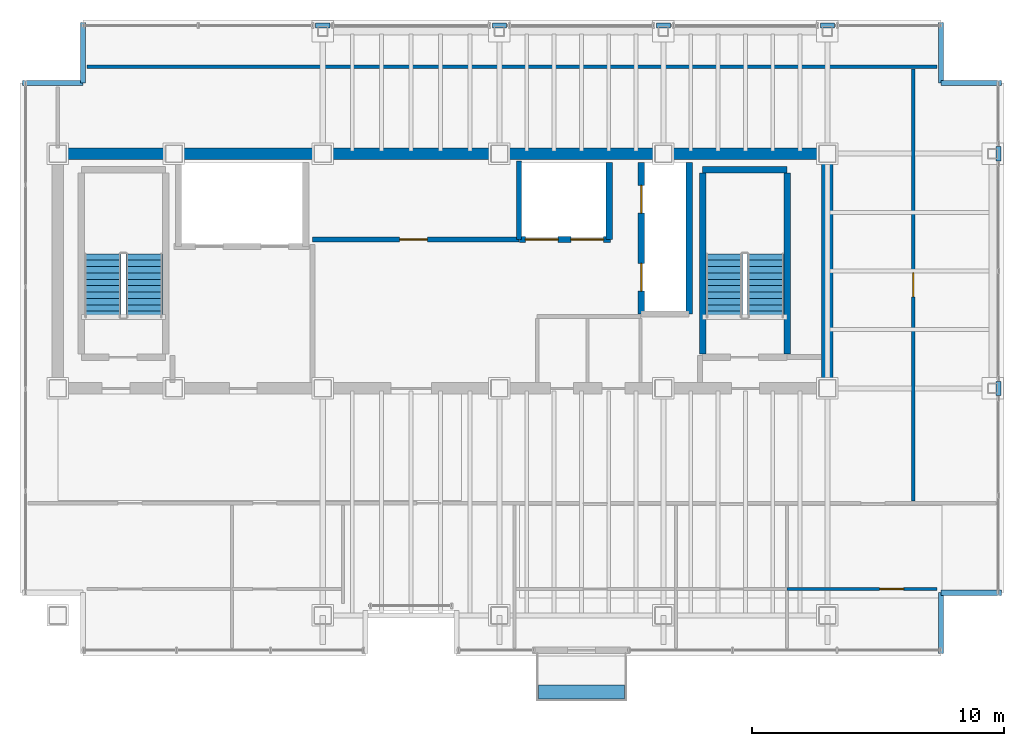
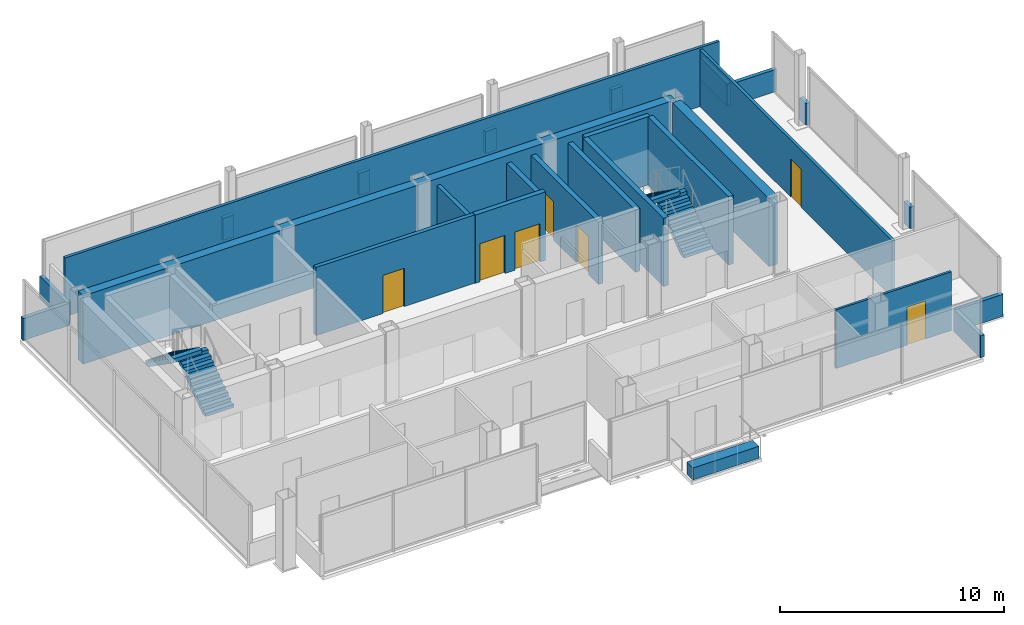
# One storey, part 15 of 17: 26 walls, 7 doors, 4 stair flights, 1 discrete accessory, 7 openings, 2 elements without a shape of their own.
"""IFC4 building model written with IfcOpenShell, lengths in metres."""

from ifc_helpers import new_model, si_unit, direction, frame, frame_2d, origin, origin_2d, place, context, subcontext, project, spatial, polyline, rectangle, outline, extrude, material, layer, layer_set, type_object, element, fill, aggregate, save


model = new_model("IFC4")

# Units and contexts
model_context = context("Model", 3, precision=1e-05, world=origin(), true_north=direction((0.0, 1.0)))
body_context = subcontext(model_context, "Body", "Model", "MODEL_VIEW")
ifc_project = project(units=[si_unit("LENGTHUNIT", "METRE"), si_unit("AREAUNIT", "SQUARE_METRE"), si_unit("VOLUMEUNIT", "CUBIC_METRE"), si_unit("PLANEANGLEUNIT", "RADIAN"), si_unit("MASSUNIT", "GRAM", prefix="KILO")], contexts=[model_context])

# Site, building, storey
site_placement = place(None, origin())
site = spatial("IfcSite", under=ifc_project, at=site_placement, CompositionType="ELEMENT")
building_placement = place(site_placement, origin())
building = spatial("IfcBuilding", under=site, at=building_placement, Name="Noeulbin Bourse Tower", CompositionType="ELEMENT")
storey_placement = place(building_placement, frame((0.0, 0.0, 289.10009765625)))
storey = spatial("IfcBuildingStorey", under=building, at=storey_placement, Name="L72", CompositionType="ELEMENT", Elevation=289.10009765625)

# Walls
ifc_material_1 = material(Name="Concrete C50/60", Category="concrete")
ifc_layer_1 = layer(ifc_material_1, 0.449951171875)
ifc_layer_set_1 = layer_set([ifc_layer_1], Name="Concrete C50/60")
wall_type_1 = type_object("IfcWallType", Name="WAL-CORE-450", PredefinedType="SHEAR", material=ifc_layer_set_1)
wall_1_placement = place(storey_placement, frame((13.5, 38.300048828125, 0.0), z_axis=(0.0, 0.0, 1.0), x_axis=(1.0, 0.0, 0.0)))
element("IfcWall", 1, at=wall_1_placement, inside=storey, type_object=wall_type_1, Name="Rear Core North Shear Wall L72", PredefinedType="SHEAR", context=body_context, shape_type="SweptSolid", body=[
    extrude(rectangle(XDim=30.5, YDim=0.449951171875, at=frame_2d((15.25, 0.0))), origin(), (0.0, 0.0, 1.0), 3.719970703125),
])
wall_2_placement = place(storey_placement, frame((44.0, 29.35009765625, 0.0), z_axis=(0.0, 0.0, 1.0), x_axis=(0.0, 1.0, 0.0)))
element("IfcWall", 2, at=wall_2_placement, inside=storey, type_object=wall_type_1, Name="Rear Core East Shear Wall L72", PredefinedType="SHEAR", context=body_context, shape_type="SweptSolid", body=[
    extrude(rectangle(XDim=8.599853515625, YDim=0.449951171875, at=frame_2d((4.2998046875, 0.0))), origin(), (0.0, 0.0, 1.0), 3.719970703125),
])

# Wall, opening, door
ifc_material_2 = material(Name="Concrete C40/50", Category="concrete")
ifc_layer_2 = layer(ifc_material_2, 0.199951171875)
ifc_layer_set_2 = layer_set([ifc_layer_2], Name="Concrete C40/50")
wall_type_2 = type_object("IfcWallType", Name="WAL-FIRE-200", PredefinedType="STANDARD", material=ifc_layer_set_2)
wall_3_placement = place(storey_placement, frame((23.60009765625, 34.89990234375, 0.0), z_axis=(0.0, 0.0, 1.0), x_axis=(1.0, 0.0, 0.0)))
wall_3 = element("IfcWall", 3, at=wall_3_placement, inside=storey, type_object=wall_type_2, Name="Interior Partition Wall L72-02", PredefinedType="STANDARD", context=body_context, shape_type="SweptSolid", body=[
    extrude(rectangle(XDim=8.179931640625, YDim=0.199951171875, at=frame_2d((4.08984375, 0.0))), origin(), (0.0, 0.0, 1.0), 3.719970703125),
])
opening_1_placement = place(wall_3_placement, frame((3.449951171875, 0.0, 0.0)))
opening_1 = element("IfcOpeningElement", 4, at=opening_1_placement, cuts=wall_3, Name="Opening FD-11", PredefinedType="OPENING", context=body_context, shape_type="SweptSolid", body=[
    extrude(rectangle(XDim=1.10009765625, YDim=2.080078125, at=frame_2d((0.550048828125, 1.0400390625))), frame((0.0, 0.10986328125, 0.0), z_axis=(0.0, -1.0, 0.0), x_axis=(1.0, 0.0, 0.0)), (0.0, 0.0, 1.0), 0.219970703125),
])
ifc_material_3 = material(Name="Fire-Rated Insulated Steel", Category="steel")
door_type_1 = type_object("IfcDoorType", Name="DR-FD60-1100", OperationType="SINGLE_SWING_LEFT", PredefinedType="DOOR", material=ifc_material_3)
door_1_placement = place(opening_1_placement, origin())
door_1 = element("IfcDoor", 5, at=door_1_placement, inside=storey, type_object=door_type_1, Name="Telemetry Server Door L72", OperationType="SINGLE_SWING_RIGHT", OverallHeight=2.080078125, OverallWidth=1.10009765625, PredefinedType="DOOR", context=body_context, shape_type="SweptSolid", body=[
    extrude(rectangle(XDim=1.10009765625, YDim=2.080078125, at=frame_2d((0.550048828125, 1.0400390625))), frame((0.0, 0.02490234375, 0.0), z_axis=(0.0, -1.0, 0.0), x_axis=(1.0, 0.0, 0.0)), (0.0, 0.0, 1.0), 0.050048828125),
])
fill(opening_1, door_1)

# Walls
ifc_layer_3 = layer(ifc_material_2, 0.199951171875)
ifc_layer_set_3 = layer_set([ifc_layer_3], Name="Concrete C40/50")
wall_type_3 = type_object("IfcWallType", Name="WAL-PAR-200", PredefinedType="PARAPET", material=ifc_layer_set_3)
for number, where, z_axis, x_axis, name in (
    (6, (23.719970703125, 43.3798828125, 0.0), (0.0, 0.0, 1.0), (1.0, 0.0, 0.0), "Perimeter Pier Spandrel Parapet L72-N1"),
    (7, (30.719970703125, 43.3798828125, 0.0), (0.0, 0.0, 1.0), (1.0, 0.0, 0.0), "Perimeter Pier Spandrel Parapet L72-N2"),
    (8, (37.219970703125, 43.3798828125, 0.0), (0.0, 0.0, 1.0), (1.0, 0.0, 0.0), "Perimeter Pier Spandrel Parapet L72-N3"),
    (9, (43.719970703125, 43.3798828125, 0.0), (0.0, 0.0, 1.0), (1.0, 0.0, 0.0), "Perimeter Pier Spandrel Parapet L72-N4"),
    (10, (50.780029296875, 28.719970703125, 0.0), (0.0, 0.0, 1.0), (0.0, 1.0, 0.0), "Perimeter Pier Spandrel Parapet L72-E5"),
    (11, (50.780029296875, 38.02001953125, 0.0), (0.0, 0.0, 1.0), (0.0, 1.0, 0.0), "Perimeter Pier Spandrel Parapet L72-E6"),
):
    element("IfcWall", number, at=place(storey_placement, frame(where, z_axis=z_axis, x_axis=x_axis)), inside=storey, type_object=wall_type_3, Name=name, PredefinedType="PARAPET", context=body_context, shape_type="SweptSolid", body=[
        extrude(rectangle(XDim=0.56005859375, YDim=0.199951171875, at=frame_2d((0.280029296875, 0.0))), origin(), (0.0, 0.0, 1.0), 1.199951171875),
    ])
for number, where, z_axis, x_axis, name in (
    (12, (48.5, 18.5, 0.0), (0.0, 0.0, 1.0), (0.0, 1.0, 0.0), "Corner Notch Parapet L72-SE1"),
    (13, (48.5, 20.89990234375, 0.0), (0.0, 0.0, 1.0), (1.0, 0.0, 0.0), "Corner Notch Parapet L72-SE2"),
    (14, (12.10009765625, 41.10009765625, 0.0), (0.0, 0.0, 1.0), (1.0, 0.0, 0.0), "Corner Notch Parapet L72-NW1"),
    (15, (14.5, 41.10009765625, 0.0), (0.0, 0.0, 1.0), (0.0, 1.0, 0.0), "Corner Notch Parapet L72-NW2"),
    (16, (48.5, 43.5, 0.0), (0.0, 0.0, 1.0), (0.0, -1.0, 0.0), "Corner Notch Parapet L72-NE1"),
    (17, (48.5, 41.10009765625, 0.0), (0.0, 0.0, 1.0), (1.0, 0.0, 0.0), "Corner Notch Parapet L72-NE2"),
):
    element("IfcWall", number, at=place(storey_placement, frame(where, z_axis=z_axis, x_axis=x_axis)), inside=storey, type_object=wall_type_3, Name=name, PredefinedType="PARAPET", context=body_context, shape_type="SweptSolid", body=[
        extrude(rectangle(XDim=2.39990234375, YDim=0.199951171875, at=frame_2d((1.199951171875, 0.0))), origin(), (0.0, 0.0, 1.0), 1.199951171875),
    ])

# Wall, opening, door
ifc_material_4 = material(Name="Steel Stud Gypsum Partition", Category="steel")
ifc_layer_4 = layer(ifc_material_4, 0.1201171875)
ifc_layer_set_4 = layer_set([ifc_layer_4], Name="Steel Stud Gypsum Partition")
wall_type_4 = type_object("IfcWallType", Name="WAL-PRT-120", PredefinedType="PARTITIONING", material=ifc_layer_set_4)
wall_4_placement = place(storey_placement, frame((42.39990234375, 21.050048828125, 0.0), z_axis=(0.0, 0.0, 1.0), x_axis=(1.0, 0.0, 0.0)))
wall_4 = element("IfcWall", 18, at=wall_4_placement, inside=storey, type_object=wall_type_4, Name="Interior Partition Wall L72-09", PredefinedType="PARTITIONING", context=body_context, shape_type="SweptSolid", body=[
    extrude(rectangle(XDim=5.940185546875, YDim=0.1201171875, at=frame_2d((2.97021484375, 0.0))), origin(), (0.0, 0.0, 1.0), 3.199951171875),
])
opening_2_placement = place(wall_4_placement, frame((3.669921875, 0.0, 0.0)))
opening_2 = element("IfcOpeningElement", 19, at=opening_2_placement, cuts=wall_4, Name="Opening ID-09", PredefinedType="OPENING", context=body_context, shape_type="SweptSolid", body=[
    extrude(rectangle(XDim=0.949951171875, YDim=2.080078125, at=frame_2d((0.47509765625, 1.0400390625))), frame((0.0, 0.070068359375, 0.0), z_axis=(0.0, -1.0, 0.0), x_axis=(1.0, 0.0, 0.0)), (0.0, 0.0, 1.0), 0.14013671875),
])
ifc_material_5 = material(Name="Acoustic Solid-Core Timber", Category="wood")
door_type_2 = type_object("IfcDoorType", Name="DR-SINGLE-950", OperationType="SINGLE_SWING_LEFT", PredefinedType="DOOR", material=ifc_material_5)
door_2_placement = place(opening_2_placement, origin())
door_2 = element("IfcDoor", 20, at=door_2_placement, inside=storey, type_object=door_type_2, Name="Interior Door L72-17", OperationType="SINGLE_SWING_RIGHT", OverallHeight=2.080078125, OverallWidth=0.949951171875, PredefinedType="DOOR", context=body_context, shape_type="SweptSolid", body=[
    extrude(rectangle(XDim=0.949951171875, YDim=2.080078125, at=frame_2d((0.47509765625, 1.0400390625))), frame((0.0, 0.02490234375, 0.0), z_axis=(0.0, -1.0, 0.0), x_axis=(1.0, 0.0, 0.0)), (0.0, 0.0, 1.0), 0.050048828125),
])
fill(opening_2, door_2)

# Wall
ifc_material_6 = material(Name="Steel Stud Acoustic Gypsum Board", Category="steel")
ifc_layer_5 = layer(ifc_material_6, 0.14990234375)
ifc_layer_set_5 = layer_set([ifc_layer_5], Name="Steel Stud Acoustic Gypsum Board")
wall_type_5 = type_object("IfcWallType", Name="WAL-PRT-150", PredefinedType="PARTITIONING", material=ifc_layer_set_5)
wall_5_placement = place(storey_placement, frame((14.659912109375, 41.75, 0.0), z_axis=(0.0, 0.0, 1.0), x_axis=(1.0, 0.0, 0.0)))
element("IfcWall", 21, at=wall_5_placement, inside=storey, type_object=wall_type_5, Name="Interior Partition Wall L72-10", PredefinedType="PARTITIONING", context=body_context, shape_type="SweptSolid", body=[
    extrude(rectangle(XDim=33.68017578125, YDim=0.14990234375, at=frame_2d((16.840087890625, 0.0))), origin(), (0.0, 0.0, 1.0), 3.199951171875),
])

# Wall, opening, door
wall_6_placement = place(storey_placement, frame((47.39990234375, 24.534912109375, 0.0), z_axis=(0.0, 0.0, 1.0), x_axis=(0.0, 1.0, 0.0)))
wall_6 = element("IfcWall", 22, at=wall_6_placement, inside=storey, type_object=wall_type_5, Name="Interior Partition Wall L72-17", PredefinedType="PARTITIONING", context=body_context, shape_type="SweptSolid", body=[
    extrude(rectangle(XDim=17.130126953125, YDim=0.14990234375, at=frame_2d((8.56494140625, 0.0))), origin(), (0.0, 0.0, 1.0), 3.099853515625),
])
opening_3_placement = place(wall_6_placement, frame((8.090087890625, 0.0, 0.0)))
opening_3 = element("IfcOpeningElement", 23, at=opening_3_placement, cuts=wall_6, Name="Opening ID-09", PredefinedType="OPENING", context=body_context, shape_type="SweptSolid", body=[
    extrude(rectangle(XDim=0.949951171875, YDim=2.080078125, at=frame_2d((0.47509765625, 1.0400390625))), frame((0.0, 0.0849609375, 0.0), z_axis=(0.0, -1.0, 0.0), x_axis=(1.0, 0.0, 0.0)), (0.0, 0.0, 1.0), 0.169921875),
])
door_3_placement = place(opening_3_placement, origin())
door_3 = element("IfcDoor", 24, at=door_3_placement, inside=storey, type_object=door_type_2, Name="Interior Door L72-19", OperationType="SINGLE_SWING_RIGHT", OverallHeight=2.080078125, OverallWidth=0.949951171875, PredefinedType="DOOR", context=body_context, shape_type="SweptSolid", body=[
    extrude(rectangle(XDim=0.949951171875, YDim=2.080078125, at=frame_2d((0.47509765625, 1.0400390625))), frame((0.0, 0.02490234375, 0.0), z_axis=(0.0, -1.0, 0.0), x_axis=(1.0, 0.0, 0.0)), (0.0, 0.0, 1.0), 0.050048828125),
])
fill(opening_3, door_3)

# Walls
ifc_layer_6 = layer(ifc_material_2, 0.25)
ifc_layer_set_6 = layer_set([ifc_layer_6], Name="Concrete C40/50")
wall_type_6 = type_object("IfcWallType", Name="WAL-SHFT-250", PredefinedType="STANDARD", material=ifc_layer_set_6)
wall_7_placement = place(storey_placement, frame((39.06005859375, 37.6689453125, 0.0), z_axis=(0.0, 0.0, 1.0), x_axis=(1.0, 0.0, 0.0)))
element("IfcWall", 25, at=wall_7_placement, inside=storey, type_object=wall_type_6, Name="Stair ST-2 North Shaft Wall L72", PredefinedType="STANDARD", context=body_context, shape_type="SweptSolid", body=[
    extrude(rectangle(XDim=3.33984375, YDim=0.25, at=frame_2d((1.669921875, 0.0))), origin(), (0.0, 0.0, 1.0), 3.719970703125),
])
for number, where, z_axis, x_axis, name in (
    (26, (39.054931640625, 30.360107421875, 0.0), (0.0, 0.0, 1.0), (0.0, 1.0, 0.0), "Stair ST-2 West Shaft Wall L72"),
    (27, (42.405029296875, 30.360107421875, 0.0), (0.0, 0.0, 1.0), (0.0, 1.0, 0.0), "Stair ST-2 East Shaft Wall L72"),
):
    element("IfcWall", number, at=place(storey_placement, frame(where, z_axis=z_axis, x_axis=x_axis)), inside=storey, type_object=wall_type_6, Name=name, PredefinedType="STANDARD", context=body_context, shape_type="SweptSolid", body=[
        extrude(rectangle(XDim=7.183837890625, YDim=0.25, at=frame_2d((3.591796875, 0.0))), origin(), (0.0, 0.0, 1.0), 3.719970703125),
    ])

# Wall, openings, doors
wall_8_placement = place(storey_placement, frame((36.6201171875, 31.949951171875, 0.0), z_axis=(0.0, 0.0, 1.0), x_axis=(0.0, 1.0, 0.0)))
wall_8 = element("IfcWall", 28, at=wall_8_placement, inside=storey, type_object=wall_type_6, Name="Service Lift Shaft Wall L72", PredefinedType="STANDARD", context=body_context, shape_type="SweptSolid", body=[
    extrude(rectangle(XDim=6.0, YDim=0.25, at=frame_2d((3.0, 0.0))), origin(), (0.0, 0.0, 1.0), 3.39990234375),
])
opening_4_placement = place(wall_8_placement, frame((0.89990234375, 0.0, 0.0)))
opening_4 = element("IfcOpeningElement", 29, at=opening_4_placement, cuts=wall_8, Name="Opening LD-11", PredefinedType="OPENING", context=body_context, shape_type="SweptSolid", body=[
    extrude(rectangle(XDim=1.10009765625, YDim=2.080078125, at=frame_2d((0.550048828125, 1.0400390625))), frame((0.0, 0.135009765625, 0.0), z_axis=(0.0, -1.0, 0.0), x_axis=(1.0, 0.0, 0.0)), (0.0, 0.0, 1.0), 0.27001953125),
])
opening_5_placement = place(wall_8_placement, frame((4.0, 0.0, 0.0)))
opening_5 = element("IfcOpeningElement", 30, at=opening_5_placement, cuts=wall_8, Name="Opening LD-11", PredefinedType="OPENING", context=body_context, shape_type="SweptSolid", body=[
    extrude(rectangle(XDim=1.10009765625, YDim=2.080078125, at=frame_2d((0.550048828125, 1.0400390625))), frame((0.0, 0.135009765625, 0.0), z_axis=(0.0, -1.0, 0.0), x_axis=(1.0, 0.0, 0.0)), (0.0, 0.0, 1.0), 0.27001953125),
])
ifc_material_7 = material(Name="Brushed Stainless Steel 316", Category="steel")
door_type_3 = type_object("IfcDoorType", Name="DR-LIFT-1100", OperationType="SLIDING_TO_LEFT", PredefinedType="DOOR", material=ifc_material_7)
door_4_placement = place(opening_4_placement, origin())
door_4 = element("IfcDoor", 31, at=door_4_placement, inside=storey, type_object=door_type_3, Name="Lift Landing Door LD-EL-01-L72", OperationType="SLIDING_TO_LEFT", OverallHeight=2.080078125, OverallWidth=1.10009765625, PredefinedType="DOOR", context=body_context, shape_type="SweptSolid", body=[
    extrude(rectangle(XDim=1.10009765625, YDim=2.080078125, at=frame_2d((0.550048828125, 1.0400390625))), frame((0.0, 0.02490234375, 0.0), z_axis=(0.0, -1.0, 0.0), x_axis=(1.0, 0.0, 0.0)), (0.0, 0.0, 1.0), 0.050048828125),
])
fill(opening_4, door_4)
door_5_placement = place(opening_5_placement, origin())
door_5 = element("IfcDoor", 32, at=door_5_placement, inside=storey, type_object=door_type_3, Name="Lift Landing Door LD-SV-01-L72", OperationType="SLIDING_TO_LEFT", OverallHeight=2.080078125, OverallWidth=1.10009765625, PredefinedType="DOOR", context=body_context, shape_type="SweptSolid", body=[
    extrude(rectangle(XDim=1.10009765625, YDim=2.080078125, at=frame_2d((0.550048828125, 1.0400390625))), frame((0.0, 0.02490234375, 0.0), z_axis=(0.0, -1.0, 0.0), x_axis=(1.0, 0.0, 0.0)), (0.0, 0.0, 1.0), 0.050048828125),
])
fill(opening_5, door_5)

# Walls
wall_9_placement = place(storey_placement, frame((38.52001953125, 31.949951171875, 0.0), z_axis=(0.0, 0.0, 1.0), x_axis=(0.0, 1.0, 0.0)))
element("IfcWall", 33, at=wall_9_placement, inside=storey, type_object=wall_type_6, Name="Service Lift East Shaft Wall L72", PredefinedType="STANDARD", context=body_context, shape_type="SweptSolid", body=[
    extrude(rectangle(XDim=6.0, YDim=0.25, at=frame_2d((3.0, 0.0))), origin(), (0.0, 0.0, 1.0), 3.39990234375),
])
wall_10_placement = place(storey_placement, frame((35.360107421875, 34.89990234375, 0.0), z_axis=(0.0, 0.0, 1.0), x_axis=(0.0, 1.0, 0.0)))
element("IfcWall", 34, at=wall_10_placement, inside=storey, type_object=wall_type_6, Name="High-Rise Lift East Shaft Wall L72", PredefinedType="STANDARD", context=body_context, shape_type="SweptSolid", body=[
    extrude(rectangle(XDim=3.050048828125, YDim=0.25, at=frame_2d((1.52490234375, 0.0))), origin(), (0.0, 0.0, 1.0), 3.39990234375),
])

# Wall, openings, doors
wall_11_placement = place(storey_placement, frame((31.800048828125, 34.89990234375, 0.0), z_axis=(0.0, 0.0, 1.0), x_axis=(1.0, 0.0, 0.0)))
wall_11 = element("IfcWall", 35, at=wall_11_placement, inside=storey, type_object=wall_type_6, Name="High-Rise Lift Bank Front L72", PredefinedType="STANDARD", context=body_context, shape_type="SweptSolid", body=[
    extrude(rectangle(XDim=3.599853515625, YDim=0.25, at=frame_2d((1.7998046875, 0.0))), origin(), (0.0, 0.0, 1.0), 3.719970703125),
])
opening_6_placement = place(wall_11_placement, frame((0.22998046875, 0.0, 0.0)))
opening_6 = element("IfcOpeningElement", 36, at=opening_6_placement, cuts=wall_11, Name="Opening LD-13", PredefinedType="OPENING", context=body_context, shape_type="SweptSolid", body=[
    extrude(rectangle(XDim=1.300048828125, YDim=2.080078125, at=frame_2d((0.64990234375, 1.0400390625))), frame((0.0, 0.135009765625, 0.0), z_axis=(0.0, -1.0, 0.0), x_axis=(1.0, 0.0, 0.0)), (0.0, 0.0, 1.0), 0.27001953125),
])
opening_7_placement = place(wall_11_placement, frame((2.030029296875, 0.0, 0.0)))
opening_7 = element("IfcOpeningElement", 37, at=opening_7_placement, cuts=wall_11, Name="Opening LD-13", PredefinedType="OPENING", context=body_context, shape_type="SweptSolid", body=[
    extrude(rectangle(XDim=1.300048828125, YDim=2.080078125, at=frame_2d((0.64990234375, 1.0400390625))), frame((0.0, 0.135009765625, 0.0), z_axis=(0.0, -1.0, 0.0), x_axis=(1.0, 0.0, 0.0)), (0.0, 0.0, 1.0), 0.27001953125),
])
door_type_4 = type_object("IfcDoorType", Name="DR-LIFT-1300", OperationType="DOUBLE_DOOR_SLIDING", PredefinedType="DOOR", material=ifc_material_7)
door_6_placement = place(opening_6_placement, origin())
door_6 = element("IfcDoor", 38, at=door_6_placement, inside=storey, type_object=door_type_4, Name="Lift Landing Door LD-PL-H1-L72", OperationType="DOUBLE_DOOR_SLIDING", OverallHeight=2.080078125, OverallWidth=1.300048828125, PredefinedType="DOOR", context=body_context, shape_type="SweptSolid", body=[
    extrude(rectangle(XDim=1.300048828125, YDim=2.080078125, at=frame_2d((0.64990234375, 1.0400390625))), frame((0.0, 0.02490234375, 0.0), z_axis=(0.0, -1.0, 0.0), x_axis=(1.0, 0.0, 0.0)), (0.0, 0.0, 1.0), 0.050048828125),
])
fill(opening_6, door_6)
door_7_placement = place(opening_7_placement, origin())
door_7 = element("IfcDoor", 39, at=door_7_placement, inside=storey, type_object=door_type_4, Name="Lift Landing Door LD-PL-H2-L72", OperationType="DOUBLE_DOOR_SLIDING", OverallHeight=2.080078125, OverallWidth=1.300048828125, PredefinedType="DOOR", context=body_context, shape_type="SweptSolid", body=[
    extrude(rectangle(XDim=1.300048828125, YDim=2.080078125, at=frame_2d((0.64990234375, 1.0400390625))), frame((0.0, 0.02490234375, 0.0), z_axis=(0.0, -1.0, 0.0), x_axis=(1.0, 0.0, 0.0)), (0.0, 0.0, 1.0), 0.050048828125),
])
fill(opening_7, door_7)

# Wall
wall_12_placement = place(storey_placement, frame((31.780029296875, 34.89990234375, 0.0), z_axis=(0.0, 0.0, 1.0), x_axis=(0.0, 1.0, 0.0)))
element("IfcWall", 40, at=wall_12_placement, inside=storey, type_object=wall_type_6, Name="Hoistway Side Shaft Wall L72-PLHW", PredefinedType="STANDARD", context=body_context, shape_type="SweptSolid", body=[
    extrude(rectangle(XDim=3.1201171875, YDim=0.199951171875, at=frame_2d((1.56005859375, 0.0))), origin(), (0.0, 0.0, 1.0), 3.39990234375),
])

# Stair, stair flights
stair_type = type_object("IfcStairType", Name="STR-CORE-1560", PredefinedType="HALF_TURN_STAIR", material=ifc_material_2)
stair_1_placement = place(storey_placement, origin())
stair_1 = element("IfcStair", 41, at=stair_1_placement, inside=storey, type_object=stair_type, Name="L72 ST-1", PredefinedType="HALF_TURN_STAIR")
stair_flight_type = type_object("IfcStairFlightType", Name="SFL-CORE-1560", PredefinedType="STRAIGHT", material=ifc_material_2)
stair_flight_1_placement = place(storey_placement, frame((16.925048828125, 31.81005859375, 0.0), z_axis=(0.0, 0.0, 1.0), x_axis=(0.0, 1.0, 0.0)))
stair_flight_1 = element("IfcStairFlight", 42, at=stair_flight_1_placement, type_object=stair_flight_type, Name="ST-1 flight 1", NumberOfRisers=11, NumberOfTreads=10, PredefinedType="STRAIGHT", RiserHeight=0.177272727, TreadLength=0.252, context=body_context, shape_type="SweptSolid", body=[
    extrude(outline(polyline([(0.0, 0.0), (0.0, 0.17724609375), (0.251953125, 0.17724609375), (0.251953125, 0.3544921875), (0.50390625, 0.3544921875), (0.50390625, 0.53173828125), (0.756103515625, 0.53173828125), (0.756103515625, 0.708984375), (1.008056640625, 0.708984375), (1.008056640625, 0.886474609375), (1.260009765625, 0.886474609375), (1.260009765625, 1.063720703125), (1.511962890625, 1.063720703125), (1.511962890625, 1.240966796875), (1.763916015625, 1.240966796875), (1.763916015625, 1.418212890625), (2.01611328125, 1.418212890625), (2.01611328125, 1.595458984375), (2.26806640625, 1.595458984375), (2.26806640625, 1.772705078125), (2.52001953125, 1.772705078125), (2.52001953125, 1.949951171875), (2.52001953125, 1.552734375), (0.312744140625, 0.0), (0.0, 0.0)])), frame((0.0, 0.72509765625, 0.0), z_axis=(0.0, -1.0, 0.0), x_axis=(1.0, 0.0, 0.0)), (0.0, 0.0, 1.0), 1.449951171875),
])
stair_flight_2_placement = place(storey_placement, frame((15.27490234375, 34.330078125, 1.949951171875), z_axis=(0.0, 0.0, 1.0), x_axis=(0.0, -1.0, 0.0)))
stair_flight_2 = element("IfcStairFlight", 43, at=stair_flight_2_placement, type_object=stair_flight_type, Name="ST-1 flight 2", NumberOfRisers=11, NumberOfTreads=10, PredefinedType="STRAIGHT", RiserHeight=0.177272727, TreadLength=0.252, context=body_context, shape_type="SweptSolid", body=[
    extrude(outline(polyline([(0.0, 0.0), (0.0, 0.17724609375), (0.251953125, 0.17724609375), (0.251953125, 0.3544921875), (0.50390625, 0.3544921875), (0.50390625, 0.53173828125), (0.756103515625, 0.53173828125), (0.756103515625, 0.708984375), (1.008056640625, 0.708984375), (1.008056640625, 0.886474609375), (1.260009765625, 0.886474609375), (1.260009765625, 1.063720703125), (1.511962890625, 1.063720703125), (1.511962890625, 1.240966796875), (1.763916015625, 1.240966796875), (1.763916015625, 1.418212890625), (2.01611328125, 1.418212890625), (2.01611328125, 1.595458984375), (2.26806640625, 1.595458984375), (2.26806640625, 1.772705078125), (2.52001953125, 1.772705078125), (2.52001953125, 1.949951171875), (2.52001953125, 1.552734375), (0.312744140625, 0.0), (0.0, 0.0)])), frame((0.0, 0.72509765625, 0.0), z_axis=(0.0, -1.0, 0.0), x_axis=(1.0, 0.0, 0.0)), (0.0, 0.0, 1.0), 1.449951171875),
])
aggregate(stair_1, [stair_flight_1, stair_flight_2])

stair_2_placement = place(storey_placement, origin())
stair_2 = element("IfcStair", 44, at=stair_2_placement, inside=storey, type_object=stair_type, Name="L72 ST-2", PredefinedType="HALF_TURN_STAIR")
stair_flight_3_placement = place(storey_placement, frame((41.554931640625, 31.81005859375, 0.0), z_axis=(0.0, 0.0, 1.0), x_axis=(0.0, 1.0, 0.0)))
stair_flight_3 = element("IfcStairFlight", 45, at=stair_flight_3_placement, type_object=stair_flight_type, Name="ST-2 flight 1", NumberOfRisers=11, NumberOfTreads=10, PredefinedType="STRAIGHT", RiserHeight=0.177272727, TreadLength=0.252, context=body_context, shape_type="SweptSolid", body=[
    extrude(outline(polyline([(0.0, 0.0), (0.0, 0.17724609375), (0.251953125, 0.17724609375), (0.251953125, 0.3544921875), (0.50390625, 0.3544921875), (0.50390625, 0.53173828125), (0.756103515625, 0.53173828125), (0.756103515625, 0.708984375), (1.008056640625, 0.708984375), (1.008056640625, 0.886474609375), (1.260009765625, 0.886474609375), (1.260009765625, 1.063720703125), (1.511962890625, 1.063720703125), (1.511962890625, 1.240966796875), (1.763916015625, 1.240966796875), (1.763916015625, 1.418212890625), (2.01611328125, 1.418212890625), (2.01611328125, 1.595458984375), (2.26806640625, 1.595458984375), (2.26806640625, 1.772705078125), (2.52001953125, 1.772705078125), (2.52001953125, 1.949951171875), (2.52001953125, 1.552734375), (0.312744140625, 0.0), (0.0, 0.0)])), frame((0.0, 0.72509765625, 0.0), z_axis=(0.0, -1.0, 0.0), x_axis=(1.0, 0.0, 0.0)), (0.0, 0.0, 1.0), 1.449951171875),
])
stair_flight_4_placement = place(storey_placement, frame((39.905029296875, 34.330078125, 1.949951171875), z_axis=(0.0, 0.0, 1.0), x_axis=(0.0, -1.0, 0.0)))
stair_flight_4 = element("IfcStairFlight", 46, at=stair_flight_4_placement, type_object=stair_flight_type, Name="ST-2 flight 2", NumberOfRisers=11, NumberOfTreads=10, PredefinedType="STRAIGHT", RiserHeight=0.177272727, TreadLength=0.252, context=body_context, shape_type="SweptSolid", body=[
    extrude(outline(polyline([(0.0, 0.0), (0.0, 0.17724609375), (0.251953125, 0.17724609375), (0.251953125, 0.3544921875), (0.50390625, 0.3544921875), (0.50390625, 0.53173828125), (0.756103515625, 0.53173828125), (0.756103515625, 0.708984375), (1.008056640625, 0.708984375), (1.008056640625, 0.886474609375), (1.260009765625, 0.886474609375), (1.260009765625, 1.063720703125), (1.511962890625, 1.063720703125), (1.511962890625, 1.240966796875), (1.763916015625, 1.240966796875), (1.763916015625, 1.418212890625), (2.01611328125, 1.418212890625), (2.01611328125, 1.595458984375), (2.26806640625, 1.595458984375), (2.26806640625, 1.772705078125), (2.52001953125, 1.772705078125), (2.52001953125, 1.949951171875), (2.52001953125, 1.552734375), (0.312744140625, 0.0), (0.0, 0.0)])), frame((0.0, 0.72509765625, 0.0), z_axis=(0.0, -1.0, 0.0), x_axis=(1.0, 0.0, 0.0)), (0.0, 0.0, 1.0), 1.449951171875),
])
aggregate(stair_2, [stair_flight_3, stair_flight_4])

# Discrete accessory
ifc_material_8 = material(Name="Architectural GFRC Concrete C40/50", Category="concrete")
ifc_layer_7 = layer(ifc_material_8, 0.64990234375)
ifc_layer_set_7 = layer_set([ifc_layer_7], Name="Architectural GFRC Concrete C40/50")
discrete_accessory_type = type_object("IfcDiscreteAccessoryType", Name="PLANTER-BOX-3600", PredefinedType="USERDEFINED", material=ifc_layer_set_7)
discrete_accessory_placement = place(storey_placement, frame((34.25, 16.9599609375, 0.0), z_axis=(0.0, 0.0, 1.0), x_axis=(1.0, 0.0, 0.0)))
element("IfcDiscreteAccessory", 47, at=discrete_accessory_placement, inside=storey, type_object=discrete_accessory_type, Name="Integrated Balcony Tree Planter Box L72", ObjectType="PLANTER", PredefinedType="USERDEFINED", context=body_context, shape_type="SweptSolid", body=[
    extrude(rectangle(XDim=3.39990234375, YDim=0.550048828125, at=origin_2d()), origin(), (0.0, 0.0, 1.0), 0.64990234375),
])

save(model, "model.ifc")
